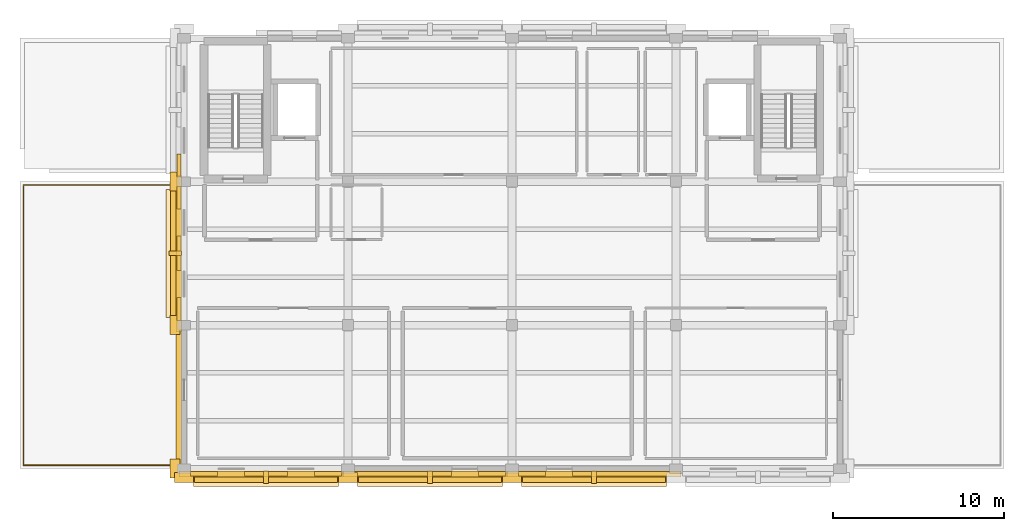
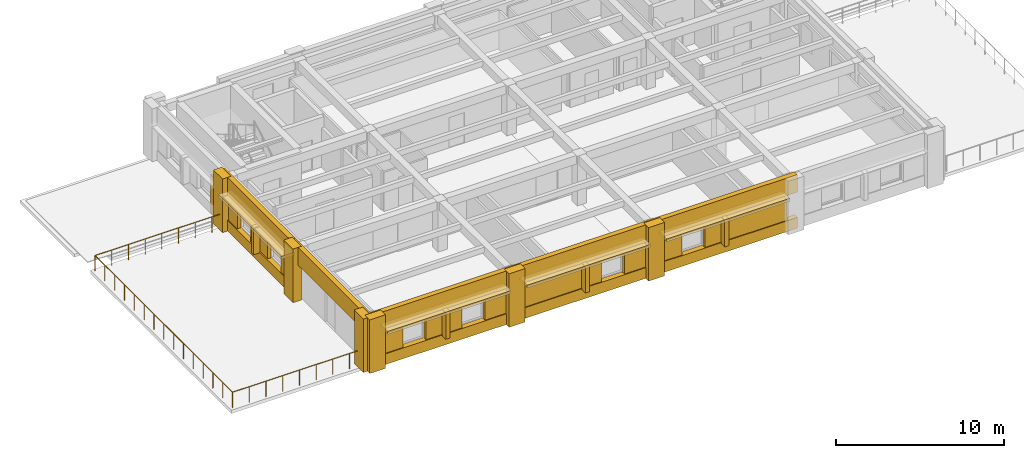
# One storey, part 5 of 7: 34 coverings, 4 shading devices, 1 railing.
"""IFC4 building model written with IfcOpenShell, lengths in metres."""

from ifc_helpers import new_model, si_unit, direction, frame, origin, origin_2d, place, context, subcontext, project, spatial, rectangle, circle, extrude, material, layer, layer_set, type_object, element, save


model = new_model("IFC4")

# Units and contexts
model_context = context("Model", 3, precision=1e-05, world=origin(), true_north=direction((0.0, 1.0)))
body_context = subcontext(model_context, "Body", "Model", "MODEL_VIEW")
ifc_project = project(units=[si_unit("LENGTHUNIT", "METRE"), si_unit("AREAUNIT", "SQUARE_METRE"), si_unit("VOLUMEUNIT", "CUBIC_METRE"), si_unit("PLANEANGLEUNIT", "RADIAN"), si_unit("MASSUNIT", "GRAM", prefix="KILO")], contexts=[model_context])

# Site, building, storey
site_placement = place(None, origin())
site = spatial("IfcSite", under=ifc_project, at=site_placement, CompositionType="ELEMENT")
building_placement = place(site_placement, origin())
building = spatial("IfcBuilding", under=site, at=building_placement, Name="Bempovik Park Faculty of Sciences", CompositionType="ELEMENT")
storey_placement = place(building_placement, frame((0.0, 0.0, 38.39990234375)))
storey = spatial("IfcBuildingStorey", under=building, at=storey_placement, Name="L09", CompositionType="ELEMENT", Elevation=38.39990234375)

# Railing
ifc_material_1 = material(Name="Precast concrete C40/50", Category="concrete")
railing_type = type_object("IfcRailingType", Name="BL-01 Terrace Balustrade 1150mm", PredefinedType="BALUSTRADE", material=ifc_material_1)
railing_placement = place(storey_placement, frame((69.39990234375, 94.39990234375, 0.0)))
element("IfcRailing", 1, at=railing_placement, inside=storey, type_object=railing_type, Name="Terrace Classical Balustrade BAL-L09-W", PredefinedType="BALUSTRADE", context=body_context, shape_type="SweptSolid", body=[
    extrude(circle(Radius=0.02392578125, at=origin_2d()), frame((0.0, 0.0, 1.1259765625), z_axis=(-1.0, 0.0, 0.0), x_axis=(0.0, -1.0, 0.0)), (0.0, 0.0, 1.0), 9.199951171875),
    extrude(circle(Radius=0.02392578125, at=origin_2d()), frame((-9.199951171875, 0.0, 1.1259765625), z_axis=(0.0, 1.0, 0.0), x_axis=(-1.0, 0.0, 0.0)), (0.0, 0.0, 1.0), 16.400146484375),
    extrude(circle(Radius=0.02392578125, at=origin_2d()), frame((-9.199951171875, 16.400146484375, 1.1259765625), z_axis=(1.0, 0.0, 0.0), x_axis=(0.0, 1.0, 0.0)), (0.0, 0.0, 1.0), 9.199951171875),
    extrude(circle(Radius=0.02099609375, at=origin_2d()), origin(), (0.0, 0.0, 1.0), 1.101806640625),
    extrude(circle(Radius=0.02099609375, at=origin_2d()), frame((-1.14990234375, 0.0, 0.0)), (0.0, 0.0, 1.0), 1.101806640625),
    extrude(circle(Radius=0.02099609375, at=origin_2d()), frame((-2.300048828125, 0.0, 0.0)), (0.0, 0.0, 1.0), 1.101806640625),
    extrude(circle(Radius=0.02099609375, at=origin_2d()), frame((-3.449951171875, 0.0, 0.0)), (0.0, 0.0, 1.0), 1.101806640625),
    extrude(circle(Radius=0.02099609375, at=origin_2d()), frame((-4.60009765625, 0.0, 0.0)), (0.0, 0.0, 1.0), 1.101806640625),
    extrude(circle(Radius=0.02099609375, at=origin_2d()), frame((-5.75, 0.0, 0.0)), (0.0, 0.0, 1.0), 1.101806640625),
    extrude(circle(Radius=0.02099609375, at=origin_2d()), frame((-6.89990234375, 0.0, 0.0)), (0.0, 0.0, 1.0), 1.101806640625),
    extrude(circle(Radius=0.02099609375, at=origin_2d()), frame((-8.050048828125, 0.0, 0.0)), (0.0, 0.0, 1.0), 1.101806640625),
    extrude(circle(Radius=0.02099609375, at=origin_2d()), frame((-9.199951171875, 0.0, 0.0)), (0.0, 0.0, 1.0), 1.101806640625),
    extrude(circle(Radius=0.02099609375, at=origin_2d()), frame((-9.199951171875, 1.17138671875, 0.0)), (0.0, 0.0, 1.0), 1.101806640625),
    extrude(circle(Radius=0.02099609375, at=origin_2d()), frame((-9.199951171875, 2.3427734375, 0.0)), (0.0, 0.0, 1.0), 1.101806640625),
    extrude(circle(Radius=0.02099609375, at=origin_2d()), frame((-9.199951171875, 3.514404296875, 0.0)), (0.0, 0.0, 1.0), 1.101806640625),
    extrude(circle(Radius=0.02099609375, at=origin_2d()), frame((-9.199951171875, 4.685791015625, 0.0)), (0.0, 0.0, 1.0), 1.101806640625),
    extrude(circle(Radius=0.02099609375, at=origin_2d()), frame((-9.199951171875, 5.857177734375, 0.0)), (0.0, 0.0, 1.0), 1.101806640625),
    extrude(circle(Radius=0.02099609375, at=origin_2d()), frame((-9.199951171875, 7.028564453125, 0.0)), (0.0, 0.0, 1.0), 1.101806640625),
    extrude(circle(Radius=0.02099609375, at=origin_2d()), frame((-9.199951171875, 8.2001953125, 0.0)), (0.0, 0.0, 1.0), 1.101806640625),
    extrude(circle(Radius=0.02099609375, at=origin_2d()), frame((-9.199951171875, 9.37158203125, 0.0)), (0.0, 0.0, 1.0), 1.101806640625),
    extrude(circle(Radius=0.02099609375, at=origin_2d()), frame((-9.199951171875, 10.54296875, 0.0)), (0.0, 0.0, 1.0), 1.101806640625),
    extrude(circle(Radius=0.02099609375, at=origin_2d()), frame((-9.199951171875, 11.71435546875, 0.0)), (0.0, 0.0, 1.0), 1.101806640625),
    extrude(circle(Radius=0.02099609375, at=origin_2d()), frame((-9.199951171875, 12.8857421875, 0.0)), (0.0, 0.0, 1.0), 1.101806640625),
    extrude(circle(Radius=0.02099609375, at=origin_2d()), frame((-9.199951171875, 14.057373046875, 0.0)), (0.0, 0.0, 1.0), 1.101806640625),
    extrude(circle(Radius=0.02099609375, at=origin_2d()), frame((-9.199951171875, 15.228759765625, 0.0)), (0.0, 0.0, 1.0), 1.101806640625),
    extrude(circle(Radius=0.02099609375, at=origin_2d()), frame((-9.199951171875, 16.400146484375, 0.0)), (0.0, 0.0, 1.0), 1.101806640625),
    extrude(circle(Radius=0.02099609375, at=origin_2d()), frame((-8.050048828125, 16.400146484375, 0.0)), (0.0, 0.0, 1.0), 1.101806640625),
    extrude(circle(Radius=0.02099609375, at=origin_2d()), frame((-6.89990234375, 16.400146484375, 0.0)), (0.0, 0.0, 1.0), 1.101806640625),
    extrude(circle(Radius=0.02099609375, at=origin_2d()), frame((-5.75, 16.400146484375, 0.0)), (0.0, 0.0, 1.0), 1.101806640625),
    extrude(circle(Radius=0.02099609375, at=origin_2d()), frame((-4.60009765625, 16.400146484375, 0.0)), (0.0, 0.0, 1.0), 1.101806640625),
    extrude(circle(Radius=0.02099609375, at=origin_2d()), frame((-3.449951171875, 16.400146484375, 0.0)), (0.0, 0.0, 1.0), 1.101806640625),
    extrude(circle(Radius=0.02099609375, at=origin_2d()), frame((-2.300048828125, 16.400146484375, 0.0)), (0.0, 0.0, 1.0), 1.101806640625),
    extrude(circle(Radius=0.02099609375, at=origin_2d()), frame((-1.14990234375, 16.400146484375, 0.0)), (0.0, 0.0, 1.0), 1.101806640625),
    extrude(circle(Radius=0.02099609375, at=origin_2d()), frame((0.0, 16.400146484375, 0.0)), (0.0, 0.0, 1.0), 1.101806640625),
])

# Coverings
ifc_layer_1 = layer(ifc_material_1, 0.179931640625)
ifc_layer_set_1 = layer_set([ifc_layer_1], Name="Precast concrete C40/50")
covering_type_1 = type_object("IfcCoveringType", Name="CL-02 Classical Cornice Band 180mm", PredefinedType="CLADDING", material=ifc_layer_set_1)
covering_1_placement = place(storey_placement, frame((69.0, 106.800048828125, 2.6103515625), z_axis=(0.0, 0.0, 1.0), x_axis=(1.0, 0.0, 0.0)))
element("IfcCovering", 2, at=covering_1_placement, inside=storey, type_object=covering_type_1, Name="L09 Classical Stone Solar Window Hood EW-L09-11068", PredefinedType="CLADDING", context=body_context, shape_type="SweptSolid", body=[
    extrude(rectangle(XDim=0.919921875, YDim=7.49609375, at=origin_2d()), origin(), (0.0, 0.0, 1.0), 0.219970703125),
])
for number, where, z_axis, x_axis, name in (
    (3, (74.39990234375, 93.60009765625, 2.6103515625), (0.0, 0.0, 1.0), (1.0, 0.0, 0.0), "L09 Classical Stone Solar Window Hood EW-L09-11092"),
    (4, (84.0, 93.60009765625, 2.6103515625), (0.0, 0.0, 1.0), (1.0, 0.0, 0.0), "L09 Classical Stone Solar Window Hood EW-L09-11105"),
    (5, (93.60009765625, 93.60009765625, 2.6103515625), (0.0, 0.0, 1.0), (1.0, 0.0, 0.0), "L09 Classical Stone Solar Window Hood EW-L09-11115"),
):
    element("IfcCovering", number, at=place(storey_placement, frame(where, z_axis=z_axis, x_axis=x_axis)), inside=storey, type_object=covering_type_1, Name=name, PredefinedType="CLADDING", context=body_context, shape_type="SweptSolid", body=[
        extrude(rectangle(XDim=8.49609375, YDim=0.919921875, at=origin_2d()), origin(), (0.0, 0.0, 1.0), 0.219970703125),
    ])
ifc_material_2 = material(Name="White reconstituted limestone precast C40/50", Category="masonry")
ifc_layer_2 = layer(ifc_material_2, 0.239990234375)
ifc_layer_set_2 = layer_set([ifc_layer_2], Name="White reconstituted limestone precast C40/50")
covering_type_2 = type_object("IfcCoveringType", Name="CL-03 Classical Fluted Limestone Pilaster 240mm", PredefinedType="CLADDING", material=ifc_layer_set_2)
covering_2_placement = place(storey_placement, frame((69.2900390625, 98.39990234375, 2.6201171875), z_axis=(0.0, 0.0, 1.0), x_axis=(1.0, 0.0, 0.0)))
element("IfcCovering", 6, at=covering_2_placement, inside=storey, type_object=covering_type_2, Name="L09 Classical Limestone Spandrel Entablature EW-L09-11064", PredefinedType="CLADDING", context=body_context, shape_type="SweptSolid", body=[
    extrude(rectangle(XDim=0.340087890625, YDim=9.196044921875, at=origin_2d()), origin(), (0.0, 0.0, 1.0), 1.280029296875),
])
for number, where, z_axis, x_axis, name in (
    (7, (69.070068359375, 94.199951171875, 0.000244140625), (0.0, 0.0, 1.0), (1.0, 0.0, 0.0), "L09 Classical Fluted Stone Pilaster PIL-BA-L09-691-942"),
    (8, (69.070068359375, 102.60009765625, 0.000244140625), (0.0, 0.0, 1.0), (1.0, 0.0, 0.0), "L09 Classical Fluted Stone Pilaster PIL-BA-L09-691-1026"),
):
    element("IfcCovering", number, at=place(storey_placement, frame(where, z_axis=z_axis, x_axis=x_axis)), inside=storey, type_object=covering_type_2, Name=name, PredefinedType="CLADDING", context=body_context, shape_type="SweptSolid", body=[
        extrude(rectangle(XDim=0.580078125, YDim=1.10009765625, at=origin_2d()), origin(), (0.0, 0.0, 1.0), 3.89990234375),
    ])
covering_3_placement = place(storey_placement, frame((69.2900390625, 106.800048828125, 2.6201171875), z_axis=(0.0, 0.0, 1.0), x_axis=(1.0, 0.0, 0.0)))
element("IfcCovering", 9, at=covering_3_placement, inside=storey, type_object=covering_type_2, Name="L09 Classical Limestone Spandrel Entablature EW-L09-11068", PredefinedType="CLADDING", context=body_context, shape_type="SweptSolid", body=[
    extrude(rectangle(XDim=0.340087890625, YDim=9.196044921875, at=origin_2d()), origin(), (0.0, 0.0, 1.0), 1.280029296875),
])
covering_4_placement = place(storey_placement, frame((69.2900390625, 106.800048828125, 0.0), z_axis=(0.0, 0.0, 1.0), x_axis=(1.0, 0.0, 0.0)))
element("IfcCovering", 10, at=covering_4_placement, inside=storey, type_object=covering_type_2, Name="L09 Classical Limestone Sill Dado EW-L09-11068", PredefinedType="CLADDING", context=body_context, shape_type="SweptSolid", body=[
    extrude(rectangle(XDim=0.340087890625, YDim=9.196044921875, at=origin_2d()), origin(), (0.0, 0.0, 1.0), 0.780029296875),
])
covering_5_placement = place(storey_placement, frame((69.070068359375, 111.0, 0.000244140625), z_axis=(0.0, 0.0, 1.0), x_axis=(1.0, 0.0, 0.0)))
element("IfcCovering", 11, at=covering_5_placement, inside=storey, type_object=covering_type_2, Name="L09 Classical Fluted Stone Pilaster PIL-BA-L09-691-1110", PredefinedType="CLADDING", context=body_context, shape_type="SweptSolid", body=[
    extrude(rectangle(XDim=0.580078125, YDim=1.10009765625, at=origin_2d()), origin(), (0.0, 0.0, 1.0), 3.89990234375),
])
covering_6_placement = place(storey_placement, frame((69.300048828125, 103.541259765625, 0.0), z_axis=(0.0, 0.0, 1.0), x_axis=(1.0, 0.0, 0.0)))
element("IfcCovering", 12, at=covering_6_placement, inside=storey, type_object=covering_type_2, Name="L09 White Limestone Wall Cheek EW-L09-11068-0", PredefinedType="CLADDING", context=body_context, shape_type="SweptSolid", body=[
    extrude(rectangle(XDim=0.239990234375, YDim=1.328369140625, at=origin_2d()), origin(), (0.0, 0.0, 1.0), 2.780029296875),
])
covering_7_placement = place(storey_placement, frame((69.300048828125, 106.800048828125, 0.0), z_axis=(0.0, 0.0, 1.0), x_axis=(1.0, 0.0, 0.0)))
element("IfcCovering", 13, at=covering_7_placement, inside=storey, type_object=covering_type_2, Name="L09 White Limestone Wall Cheek EW-L09-11068-2", PredefinedType="CLADDING", context=body_context, shape_type="SweptSolid", body=[
    extrude(rectangle(XDim=0.239990234375, YDim=2.029296875, at=origin_2d()), origin(), (0.0, 0.0, 1.0), 2.780029296875),
])
covering_8_placement = place(storey_placement, frame((69.300048828125, 110.058837890625, 0.0), z_axis=(0.0, 0.0, 1.0), x_axis=(1.0, 0.0, 0.0)))
element("IfcCovering", 14, at=covering_8_placement, inside=storey, type_object=covering_type_2, Name="L09 White Limestone Wall Cheek EW-L09-11068-4", PredefinedType="CLADDING", context=body_context, shape_type="SweptSolid", body=[
    extrude(rectangle(XDim=0.239990234375, YDim=1.328369140625, at=origin_2d()), origin(), (0.0, 0.0, 1.0), 2.780029296875),
])
covering_9_placement = place(storey_placement, frame((69.090087890625, 106.800048828125, 0.7001953125), z_axis=(0.0, 0.0, 1.0), x_axis=(1.0, 0.0, 0.0)))
element("IfcCovering", 15, at=covering_9_placement, inside=storey, type_object=covering_type_2, Name="L09 Classical Vertical Stone Shading Fin EW-L09-11068", PredefinedType="CLADDING", context=body_context, shape_type="SweptSolid", body=[
    extrude(rectangle(XDim=0.719970703125, YDim=0.280029296875, at=origin_2d()), origin(), (0.0, 0.0, 1.0), 1.949951171875),
])
covering_10_placement = place(storey_placement, frame((69.300048828125, 111.941162109375, 0.0), z_axis=(0.0, 0.0, 1.0), x_axis=(1.0, 0.0, 0.0)))
element("IfcCovering", 16, at=covering_10_placement, inside=storey, type_object=covering_type_2, Name="L09 White Limestone Wall Cheek EW-L09-11080-0", PredefinedType="CLADDING", context=body_context, shape_type="SweptSolid", body=[
    extrude(rectangle(XDim=0.239990234375, YDim=1.328369140625, at=origin_2d()), origin(), (0.0, 0.0, 1.0), 2.780029296875),
])
covering_11_placement = place(storey_placement, frame((74.39990234375, 93.889892578125, 2.6201171875), z_axis=(0.0, 0.0, 1.0), x_axis=(1.0, 0.0, 0.0)))
element("IfcCovering", 17, at=covering_11_placement, inside=storey, type_object=covering_type_2, Name="L09 Classical Limestone Spandrel Entablature EW-L09-11092", PredefinedType="CLADDING", context=body_context, shape_type="SweptSolid", body=[
    extrude(rectangle(XDim=10.196044921875, YDim=0.340087890625, at=origin_2d()), origin(), (0.0, 0.0, 1.0), 1.280029296875),
])
covering_12_placement = place(storey_placement, frame((74.39990234375, 93.889892578125, 0.0), z_axis=(0.0, 0.0, 1.0), x_axis=(1.0, 0.0, 0.0)))
element("IfcCovering", 18, at=covering_12_placement, inside=storey, type_object=covering_type_2, Name="L09 Classical Limestone Sill Dado EW-L09-11092", PredefinedType="CLADDING", context=body_context, shape_type="SweptSolid", body=[
    extrude(rectangle(XDim=10.196044921875, YDim=0.340087890625, at=origin_2d()), origin(), (0.0, 0.0, 1.0), 0.780029296875),
])
for number, where, z_axis, x_axis, name in (
    (19, (69.60009765625, 93.669921875, 0.000244140625), (0.0, 0.0, 1.0), (1.0, 0.0, 0.0), "L09 Classical Fluted Stone Pilaster PIL-BA-L09-696-937"),
    (20, (79.199951171875, 93.669921875, 0.000244140625), (0.0, 0.0, 1.0), (1.0, 0.0, 0.0), "L09 Classical Fluted Stone Pilaster PIL-BA-L09-792-937"),
):
    element("IfcCovering", number, at=place(storey_placement, frame(where, z_axis=z_axis, x_axis=x_axis)), inside=storey, type_object=covering_type_2, Name=name, PredefinedType="CLADDING", context=body_context, shape_type="SweptSolid", body=[
        extrude(rectangle(XDim=1.10009765625, YDim=0.580078125, at=origin_2d()), origin(), (0.0, 0.0, 1.0), 3.89990234375),
    ])
covering_13_placement = place(storey_placement, frame((70.776123046875, 93.89990234375, 0.0), z_axis=(0.0, 0.0, 1.0), x_axis=(1.0, 0.0, 0.0)))
element("IfcCovering", 21, at=covering_13_placement, inside=storey, type_object=covering_type_2, Name="L09 White Limestone Wall Cheek EW-L09-11092-0", PredefinedType="CLADDING", context=body_context, shape_type="SweptSolid", body=[
    extrude(rectangle(XDim=1.598388671875, YDim=0.239990234375, at=origin_2d()), origin(), (0.0, 0.0, 1.0), 2.780029296875),
])
covering_14_placement = place(storey_placement, frame((74.39990234375, 93.89990234375, 0.0), z_axis=(0.0, 0.0, 1.0), x_axis=(1.0, 0.0, 0.0)))
element("IfcCovering", 22, at=covering_14_placement, inside=storey, type_object=covering_type_2, Name="L09 White Limestone Wall Cheek EW-L09-11092-2", PredefinedType="CLADDING", context=body_context, shape_type="SweptSolid", body=[
    extrude(rectangle(XDim=2.4892578125, YDim=0.239990234375, at=origin_2d()), origin(), (0.0, 0.0, 1.0), 2.780029296875),
])
covering_15_placement = place(storey_placement, frame((78.023681640625, 93.89990234375, 0.0), z_axis=(0.0, 0.0, 1.0), x_axis=(1.0, 0.0, 0.0)))
element("IfcCovering", 23, at=covering_15_placement, inside=storey, type_object=covering_type_2, Name="L09 White Limestone Wall Cheek EW-L09-11092-4", PredefinedType="CLADDING", context=body_context, shape_type="SweptSolid", body=[
    extrude(rectangle(XDim=1.598388671875, YDim=0.239990234375, at=origin_2d()), origin(), (0.0, 0.0, 1.0), 2.780029296875),
])
covering_16_placement = place(storey_placement, frame((74.39990234375, 93.68994140625, 0.7001953125), z_axis=(0.0, 0.0, 1.0), x_axis=(1.0, 0.0, 0.0)))
element("IfcCovering", 24, at=covering_16_placement, inside=storey, type_object=covering_type_2, Name="L09 Classical Vertical Stone Shading Fin EW-L09-11092", PredefinedType="CLADDING", context=body_context, shape_type="SweptSolid", body=[
    extrude(rectangle(XDim=0.280029296875, YDim=0.719970703125, at=origin_2d()), origin(), (0.0, 0.0, 1.0), 1.949951171875),
])
covering_17_placement = place(storey_placement, frame((84.0, 93.889892578125, 2.6201171875), z_axis=(0.0, 0.0, 1.0), x_axis=(1.0, 0.0, 0.0)))
element("IfcCovering", 25, at=covering_17_placement, inside=storey, type_object=covering_type_2, Name="L09 Classical Limestone Spandrel Entablature EW-L09-11105", PredefinedType="CLADDING", context=body_context, shape_type="SweptSolid", body=[
    extrude(rectangle(XDim=10.196044921875, YDim=0.340087890625, at=origin_2d()), origin(), (0.0, 0.0, 1.0), 1.280029296875),
])
covering_18_placement = place(storey_placement, frame((84.0, 93.889892578125, 0.0), z_axis=(0.0, 0.0, 1.0), x_axis=(1.0, 0.0, 0.0)))
element("IfcCovering", 26, at=covering_18_placement, inside=storey, type_object=covering_type_2, Name="L09 Classical Limestone Sill Dado EW-L09-11105", PredefinedType="CLADDING", context=body_context, shape_type="SweptSolid", body=[
    extrude(rectangle(XDim=10.196044921875, YDim=0.340087890625, at=origin_2d()), origin(), (0.0, 0.0, 1.0), 0.780029296875),
])
covering_19_placement = place(storey_placement, frame((88.800048828125, 93.669921875, 0.000244140625), z_axis=(0.0, 0.0, 1.0), x_axis=(1.0, 0.0, 0.0)))
element("IfcCovering", 27, at=covering_19_placement, inside=storey, type_object=covering_type_2, Name="L09 Classical Fluted Stone Pilaster PIL-BA-L09-888-937", PredefinedType="CLADDING", context=body_context, shape_type="SweptSolid", body=[
    extrude(rectangle(XDim=1.10009765625, YDim=0.580078125, at=origin_2d()), origin(), (0.0, 0.0, 1.0), 3.89990234375),
])
covering_20_placement = place(storey_placement, frame((82.410888671875, 93.89990234375, 0.0), z_axis=(0.0, 0.0, 1.0), x_axis=(1.0, 0.0, 0.0)))
element("IfcCovering", 28, at=covering_20_placement, inside=storey, type_object=covering_type_2, Name="L09 White Limestone Wall Cheek EW-L09-11105-0", PredefinedType="CLADDING", context=body_context, shape_type="SweptSolid", body=[
    extrude(rectangle(XDim=5.66748046875, YDim=0.239990234375, at=origin_2d()), origin(), (0.0, 0.0, 1.0), 2.780029296875),
])
covering_21_placement = place(storey_placement, frame((87.623779296875, 93.89990234375, 0.0), z_axis=(0.0, 0.0, 1.0), x_axis=(1.0, 0.0, 0.0)))
element("IfcCovering", 29, at=covering_21_placement, inside=storey, type_object=covering_type_2, Name="L09 White Limestone Wall Cheek EW-L09-11105-2", PredefinedType="CLADDING", context=body_context, shape_type="SweptSolid", body=[
    extrude(rectangle(XDim=1.598388671875, YDim=0.239990234375, at=origin_2d()), origin(), (0.0, 0.0, 1.0), 2.780029296875),
])
covering_22_placement = place(storey_placement, frame((84.0, 93.68994140625, 0.7001953125), z_axis=(0.0, 0.0, 1.0), x_axis=(1.0, 0.0, 0.0)))
element("IfcCovering", 30, at=covering_22_placement, inside=storey, type_object=covering_type_2, Name="L09 Classical Vertical Stone Shading Fin EW-L09-11105", PredefinedType="CLADDING", context=body_context, shape_type="SweptSolid", body=[
    extrude(rectangle(XDim=0.280029296875, YDim=0.719970703125, at=origin_2d()), origin(), (0.0, 0.0, 1.0), 1.949951171875),
])
covering_23_placement = place(storey_placement, frame((93.60009765625, 93.889892578125, 2.6201171875), z_axis=(0.0, 0.0, 1.0), x_axis=(1.0, 0.0, 0.0)))
element("IfcCovering", 31, at=covering_23_placement, inside=storey, type_object=covering_type_2, Name="L09 Classical Limestone Spandrel Entablature EW-L09-11115", PredefinedType="CLADDING", context=body_context, shape_type="SweptSolid", body=[
    extrude(rectangle(XDim=10.196044921875, YDim=0.340087890625, at=origin_2d()), origin(), (0.0, 0.0, 1.0), 1.280029296875),
])
covering_24_placement = place(storey_placement, frame((93.60009765625, 93.889892578125, 0.0), z_axis=(0.0, 0.0, 1.0), x_axis=(1.0, 0.0, 0.0)))
element("IfcCovering", 32, at=covering_24_placement, inside=storey, type_object=covering_type_2, Name="L09 Classical Limestone Sill Dado EW-L09-11115", PredefinedType="CLADDING", context=body_context, shape_type="SweptSolid", body=[
    extrude(rectangle(XDim=10.196044921875, YDim=0.340087890625, at=origin_2d()), origin(), (0.0, 0.0, 1.0), 0.780029296875),
])
covering_25_placement = place(storey_placement, frame((89.976318359375, 93.89990234375, 0.0), z_axis=(0.0, 0.0, 1.0), x_axis=(1.0, 0.0, 0.0)))
element("IfcCovering", 33, at=covering_25_placement, inside=storey, type_object=covering_type_2, Name="L09 White Limestone Wall Cheek EW-L09-11115-0", PredefinedType="CLADDING", context=body_context, shape_type="SweptSolid", body=[
    extrude(rectangle(XDim=1.598388671875, YDim=0.239990234375, at=origin_2d()), origin(), (0.0, 0.0, 1.0), 2.780029296875),
])
covering_26_placement = place(storey_placement, frame((95.189208984375, 93.89990234375, 0.0), z_axis=(0.0, 0.0, 1.0), x_axis=(1.0, 0.0, 0.0)))
element("IfcCovering", 34, at=covering_26_placement, inside=storey, type_object=covering_type_2, Name="L09 White Limestone Wall Cheek EW-L09-11115-2", PredefinedType="CLADDING", context=body_context, shape_type="SweptSolid", body=[
    extrude(rectangle(XDim=5.66748046875, YDim=0.239990234375, at=origin_2d()), origin(), (0.0, 0.0, 1.0), 2.780029296875),
])
covering_27_placement = place(storey_placement, frame((93.60009765625, 93.68994140625, 0.7001953125), z_axis=(0.0, 0.0, 1.0), x_axis=(1.0, 0.0, 0.0)))
element("IfcCovering", 35, at=covering_27_placement, inside=storey, type_object=covering_type_2, Name="L09 Classical Vertical Stone Shading Fin EW-L09-11115", PredefinedType="CLADDING", context=body_context, shape_type="SweptSolid", body=[
    extrude(rectangle(XDim=0.280029296875, YDim=0.719970703125, at=origin_2d()), origin(), (0.0, 0.0, 1.0), 1.949951171875),
])

# Shading devices
ifc_material_3 = material(Name="Anodised architectural bronze")
ifc_layer_3 = layer(ifc_material_3, 0.06005859375)
ifc_layer_set_3 = layer_set([ifc_layer_3], Name="Anodised architectural bronze")
shading_device_type = type_object("IfcShadingDeviceType", Name="SH-01 Bronze Brise-Soleil Fin", PredefinedType="USERDEFINED", material=ifc_layer_set_3)
shading_device_placement = place(storey_placement, frame((69.1201171875, 106.800048828125, 2.550048828125), z_axis=(0.0, 0.0, 1.0), x_axis=(1.0, 0.0, 0.0)))
element("IfcShadingDevice", 36, at=shading_device_placement, inside=storey, type_object=shading_device_type, Name="L09 Equatorial Bronze Brise-Soleil EW-L09-11068", ObjectType="BRISE SOLEIL", PredefinedType="USERDEFINED", context=body_context, shape_type="SweptSolid", body=[
    extrude(rectangle(XDim=0.64990234375, YDim=7.345947265625, at=origin_2d()), origin(), (0.0, 0.0, 1.0), 0.06005859375),
])
for number, where, z_axis, x_axis, name in (
    (37, (74.39990234375, 93.719970703125, 2.550048828125), (0.0, 0.0, 1.0), (1.0, 0.0, 0.0), "L09 Equatorial Bronze Brise-Soleil EW-L09-11092"),
    (38, (84.0, 93.719970703125, 2.550048828125), (0.0, 0.0, 1.0), (1.0, 0.0, 0.0), "L09 Equatorial Bronze Brise-Soleil EW-L09-11105"),
    (39, (93.60009765625, 93.719970703125, 2.550048828125), (0.0, 0.0, 1.0), (1.0, 0.0, 0.0), "L09 Equatorial Bronze Brise-Soleil EW-L09-11115"),
):
    element("IfcShadingDevice", number, at=place(storey_placement, frame(where, z_axis=z_axis, x_axis=x_axis)), inside=storey, type_object=shading_device_type, Name=name, ObjectType="BRISE SOLEIL", PredefinedType="USERDEFINED", context=body_context, shape_type="SweptSolid", body=[
        extrude(rectangle(XDim=8.345947265625, YDim=0.64990234375, at=origin_2d()), origin(), (0.0, 0.0, 1.0), 0.06005859375),
    ])

save(model, "model.ifc")
